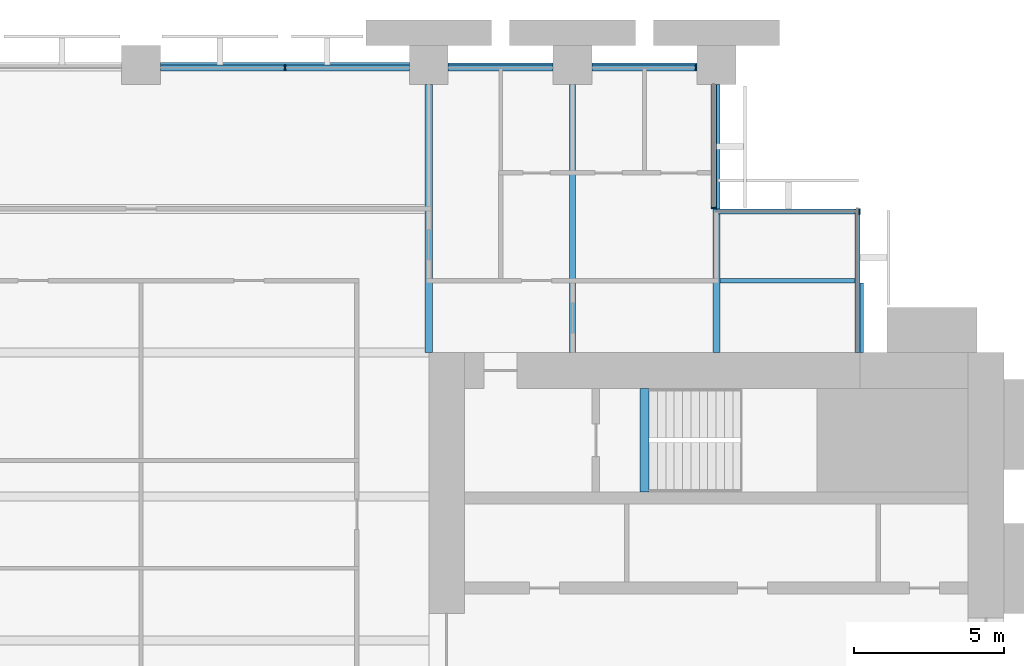
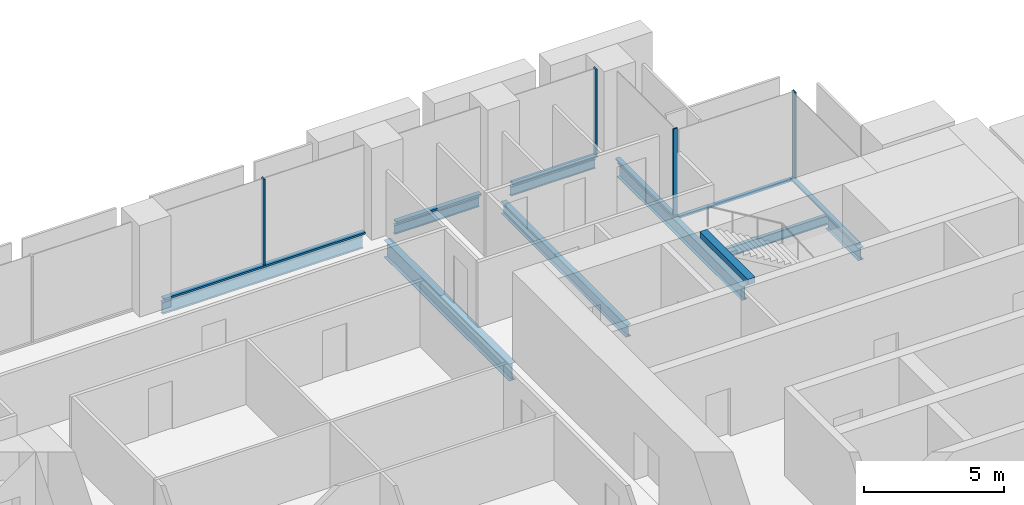
# One storey, part 7 of 14: 10 members, 9 beams, 4 elements without a shape of their own.
"""IFC4 building model written with IfcOpenShell, lengths in metres."""

from ifc_helpers import new_model, si_unit, direction, frame, origin, origin_2d, place, context, subcontext, project, spatial, rectangle, i_section, extrude, material, material_profile, profile_set, type_object, element, aggregate, save


model = new_model("IFC4")

# Units and contexts
model_context = context("Model", 3, precision=1e-05, world=origin(), true_north=direction((0.0, 1.0)))
body_context = subcontext(model_context, "Body", "Model", "MODEL_VIEW")
ifc_project = project(units=[si_unit("LENGTHUNIT", "METRE"), si_unit("AREAUNIT", "SQUARE_METRE"), si_unit("VOLUMEUNIT", "CUBIC_METRE"), si_unit("PLANEANGLEUNIT", "RADIAN"), si_unit("MASSUNIT", "GRAM", prefix="KILO")], contexts=[model_context])

# Site, building, storey
site_placement = place(None, origin())
site = spatial("IfcSite", under=ifc_project, at=site_placement, CompositionType="ELEMENT")
building_placement = place(site_placement, origin())
building = spatial("IfcBuilding", under=site, at=building_placement, Name="Baori Bourse Tower", CompositionType="ELEMENT")
storey_placement = place(building_placement, frame((0.0, 0.0, 79.0)))
storey = spatial("IfcBuildingStorey", under=building, at=storey_placement, Name="L17", CompositionType="ELEMENT", Elevation=79.0)

# Curtain wall, members
ifc_material_1 = material(Name="Pale anodised aluminium", Category="aluminium")
curtain_wall_type_1 = type_object("IfcCurtainWallType", Name="CW1 Curtain wall", PredefinedType="NOTDEFINED", material=ifc_material_1)
curtain_wall_1_placement = place(storey_placement, origin())
curtain_wall_1 = element("IfcCurtainWall", 1, at=curtain_wall_1_placement, inside=storey, type_object=curtain_wall_type_1, Name="Curtain wall CW1 L17 4", PredefinedType="NOTDEFINED")
ifc_material_2 = material(Name="Pale anodised aluminium", Category="aluminium")
ifc_material_profile_1 = material_profile(ifc_material_2, rectangle(XDim=0.199951171875, YDim=0.06005859375, at=origin_2d()), Name="Mullion 60x200")
ifc_profile_set_1 = profile_set([ifc_material_profile_1], Name="Pale anodised aluminium")
member_type_1 = type_object("IfcMemberType", Name="CW1 Curtain wall mullion", PredefinedType="MULLION", material=ifc_profile_set_1)
member_1_placement = place(storey_placement, frame((47.320068359375, 47.89990234375, 0.080078125), z_axis=(0.0, 0.0, 1.0), x_axis=(0.0, -1.0, 0.0)))
member_1 = element("IfcMember", 2, at=member_1_placement, type_object=member_type_1, Name="Curtain wall CW1 mullion", PredefinedType="MULLION", context=body_context, shape_type="SweptSolid", body=[
    extrude(rectangle(XDim=0.199951171875, YDim=0.06005859375, at=origin_2d()), origin(), (0.0, 0.0, 1.0), 3.760009765625),
])
member_2_placement = place(storey_placement, frame((33.60009765625, 47.89990234375, 0.080078125), z_axis=(0.0, 0.0, 1.0), x_axis=(0.0, -1.0, 0.0)))
member_2 = element("IfcMember", 3, at=member_2_placement, type_object=member_type_1, Name="Curtain wall CW1 mullion", PredefinedType="MULLION", context=body_context, shape_type="SweptSolid", body=[
    extrude(rectangle(XDim=0.199951171875, YDim=0.06005859375, at=origin_2d()), origin(), (0.0, 0.0, 1.0), 3.760009765625),
])
ifc_material_3 = material(Name="Pale anodised aluminium", Category="aluminium")
ifc_material_profile_2 = material_profile(ifc_material_3, rectangle(XDim=0.199951171875, YDim=0.080078125, at=origin_2d()), Name="Transom 80x200")
ifc_profile_set_2 = profile_set([ifc_material_profile_2], Name="Pale anodised aluminium")
member_type_2 = type_object("IfcMemberType", Name="CW1 Curtain wall transom", PredefinedType="USERDEFINED", material=ifc_profile_set_2)
member_3_placement = place(storey_placement, frame((47.35009765625, 47.89990234375, 0.0400390625), z_axis=(-1.0, 0.0, 0.0), x_axis=(0.0, -1.0, 0.0)))
member_3 = element("IfcMember", 4, at=member_3_placement, type_object=member_type_2, Name="Curtain wall CW1 sill rail", ObjectType="TRANSOM", PredefinedType="USERDEFINED", context=body_context, shape_type="SweptSolid", body=[
    extrude(rectangle(XDim=0.199951171875, YDim=0.080078125, at=origin_2d()), origin(), (0.0, 0.0, 1.0), 3.5),
])
member_4_placement = place(storey_placement, frame((42.550048828125, 47.89990234375, 0.0400390625), z_axis=(-1.0, 0.0, 0.0), x_axis=(0.0, -1.0, 0.0)))
member_4 = element("IfcMember", 5, at=member_4_placement, type_object=member_type_2, Name="Curtain wall CW1 sill rail", ObjectType="TRANSOM", PredefinedType="USERDEFINED", context=body_context, shape_type="SweptSolid", body=[
    extrude(rectangle(XDim=0.199951171875, YDim=0.080078125, at=origin_2d()), origin(), (0.0, 0.0, 1.0), 3.5),
])
member_5_placement = place(storey_placement, frame((37.75, 47.89990234375, 0.0400390625), z_axis=(-1.0, 0.0, 0.0), x_axis=(0.0, -1.0, 0.0)))
member_5 = element("IfcMember", 6, at=member_5_placement, type_object=member_type_2, Name="Curtain wall CW1 sill rail", ObjectType="TRANSOM", PredefinedType="USERDEFINED", context=body_context, shape_type="SweptSolid", body=[
    extrude(rectangle(XDim=0.199951171875, YDim=0.080078125, at=origin_2d()), origin(), (0.0, 0.0, 1.0), 8.300048828125),
])
aggregate(curtain_wall_1, [member_3, member_1, member_4, member_5, member_2])

# Curtain wall, member
ifc_material_4 = material(Name="Pale anodised aluminium", Category="aluminium")
curtain_wall_type_2 = type_object("IfcCurtainWallType", Name="CW2 Curtain wall", PredefinedType="NOTDEFINED", material=ifc_material_4)
curtain_wall_2_placement = place(storey_placement, origin())
curtain_wall_2 = element("IfcCurtainWall", 7, at=curtain_wall_2_placement, inside=storey, type_object=curtain_wall_type_2, Name="Curtain wall CW2 L17 2", PredefinedType="NOTDEFINED")
ifc_material_5 = material(Name="Pale anodised aluminium", Category="aluminium")
ifc_material_profile_3 = material_profile(ifc_material_5, rectangle(XDim=0.179931640625, YDim=0.054931640625, at=origin_2d()), Name="Mullion 55x180")
ifc_profile_set_3 = profile_set([ifc_material_profile_3], Name="Pale anodised aluminium")
member_type_3 = type_object("IfcMemberType", Name="CW2 Curtain wall mullion", PredefinedType="MULLION", material=ifc_profile_set_3)
member_6_placement = place(storey_placement, frame((52.7724609375, 43.110107421875, 0.070068359375), z_axis=(0.0, 0.0, 1.0), x_axis=(0.0, -1.0, 0.0)))
member_6 = element("IfcMember", 8, at=member_6_placement, type_object=member_type_3, Name="Curtain wall CW2 mullion", PredefinedType="MULLION", context=body_context, shape_type="SweptSolid", body=[
    extrude(rectangle(XDim=0.179931640625, YDim=0.054931640625, at=origin_2d()), origin(), (0.0, 0.0, 1.0), 3.77001953125),
])

curtain_wall_3_placement = place(storey_placement, origin())
curtain_wall_3 = element("IfcCurtainWall", 9, at=curtain_wall_3_placement, inside=storey, type_object=curtain_wall_type_2, Name="Curtain wall CW2 L17 3", PredefinedType="NOTDEFINED")
member_7_placement = place(storey_placement, frame((47.909912109375, 43.2275390625, 0.070068359375), z_axis=(0.0, 0.0, 1.0), x_axis=(-1.0, 0.0, 0.0)))
member_7 = element("IfcMember", 10, at=member_7_placement, type_object=member_type_3, Name="Curtain wall CW2 mullion", PredefinedType="MULLION", context=body_context, shape_type="SweptSolid", body=[
    extrude(rectangle(XDim=0.179931640625, YDim=0.054931640625, at=origin_2d()), origin(), (0.0, 0.0, 1.0), 3.77001953125),
])

curtain_wall_4_placement = place(storey_placement, origin())
curtain_wall_4 = element("IfcCurtainWall", 11, at=curtain_wall_4_placement, inside=storey, type_object=curtain_wall_type_2, Name="Curtain wall CW2 L17 1", PredefinedType="NOTDEFINED")
ifc_material_6 = material(Name="Pale anodised aluminium", Category="aluminium")
ifc_material_profile_4 = material_profile(ifc_material_6, rectangle(XDim=0.179931640625, YDim=0.070068359375, at=origin_2d()), Name="Transom 70x180")
ifc_profile_set_4 = profile_set([ifc_material_profile_4], Name="Pale anodised aluminium")
member_type_4 = type_object("IfcMemberType", Name="CW2 Curtain wall transom", PredefinedType="USERDEFINED", material=ifc_profile_set_4)
member_8_placement = place(storey_placement, frame((52.7099609375, 38.39990234375, 0.034912109375), z_axis=(0.0, 1.0, 0.0), x_axis=(-1.0, 0.0, 0.0)))
member_8 = element("IfcMember", 12, at=member_8_placement, type_object=member_type_4, Name="Curtain wall CW2 sill rail", ObjectType="TRANSOM", PredefinedType="USERDEFINED", context=body_context, shape_type="SweptSolid", body=[
    extrude(rectangle(XDim=0.179931640625, YDim=0.070068359375, at=origin_2d()), origin(), (0.0, 0.0, 1.0), 4.800048828125),
])
aggregate(curtain_wall_4, [member_8])

# Member
member_9_placement = place(storey_placement, frame((52.800048828125, 43.110107421875, 0.034912109375), z_axis=(-1.0, 0.0, 0.0), x_axis=(0.0, -1.0, 0.0)))
member_9 = element("IfcMember", 13, at=member_9_placement, type_object=member_type_4, Name="Curtain wall CW2 sill rail", ObjectType="TRANSOM", PredefinedType="USERDEFINED", context=body_context, shape_type="SweptSolid", body=[
    extrude(rectangle(XDim=0.179931640625, YDim=0.070068359375, at=origin_2d()), origin(), (0.0, 0.0, 1.0), 4.800048828125),
])

aggregate(curtain_wall_2, [member_9, member_6])

member_10_placement = place(storey_placement, frame((47.909912109375, 43.199951171875, 0.034912109375), z_axis=(0.0, 1.0, 0.0), x_axis=(-1.0, 0.0, 0.0)))
member_10 = element("IfcMember", 14, at=member_10_placement, type_object=member_type_4, Name="Curtain wall CW2 sill rail", ObjectType="TRANSOM", PredefinedType="USERDEFINED", context=body_context, shape_type="SweptSolid", body=[
    extrude(rectangle(XDim=0.179931640625, YDim=0.070068359375, at=origin_2d()), origin(), (0.0, 0.0, 1.0), 4.150146484375),
])

aggregate(curtain_wall_3, [member_10, member_7])

# Beams
ifc_material_7 = material(Name="Steel A992 Gr 50", Category="steel")
ifc_material_profile_5 = material_profile(ifc_material_7, i_section(OverallWidth=0.21240234375, OverallDepth=0.54345703125, WebThickness=0.01318359375, FlangeThickness=0.021240234375, at=origin_2d()), Name="W21x83")
ifc_profile_set_5 = profile_set([ifc_material_profile_5], Name="Steel A992 Gr 50")
beam_type_1 = type_object("IfcBeamType", Name="Core bracket W21x83", PredefinedType="BEAM", material=ifc_profile_set_5)
beam_1_placement = place(storey_placement, frame((52.800048828125, 38.39990234375, -0.431884765625), z_axis=(0.0, 1.0, 0.0), x_axis=(-1.0, 0.0, 0.0)))
element("IfcBeam", 15, at=beam_1_placement, inside=storey, type_object=beam_type_1, Name="Core bracket L17", PredefinedType="BEAM", context=body_context, shape_type="SweptSolid", body=[
    extrude(i_section(OverallWidth=0.21240234375, OverallDepth=0.54345703125, WebThickness=0.01318359375, FlangeThickness=0.021240234375, at=origin_2d()), origin(), (0.0, 0.0, 1.0), 2.329833984375),
])
ifc_material_8 = material(Name="Steel A992 Gr 50", Category="steel")
ifc_material_profile_6 = material_profile(ifc_material_8, i_section(OverallWidth=0.140380859375, OverallDepth=0.40380859375, WebThickness=0.007080078125, FlangeThickness=0.01123046875, at=origin_2d()), Name="W16x31")
ifc_profile_set_6 = profile_set([ifc_material_profile_6], Name="Steel A992 Gr 50")
beam_type_2 = type_object("IfcBeamType", Name="Edge beam W16x31", PredefinedType="BEAM", material=ifc_profile_set_6)
for number, where, z_axis, x_axis, name in (
    (16, (39.050048828125, 48.0, -0.36181640625), (1.0, 0.0, 0.0), (0.0, 1.0, 0.0), "Edge beam L17"),
    (17, (43.85009765625, 48.0, -0.36181640625), (1.0, 0.0, 0.0), (0.0, 1.0, 0.0), "Edge beam L17"),
):
    element("IfcBeam", number, at=place(storey_placement, frame(where, z_axis=z_axis, x_axis=x_axis)), inside=storey, type_object=beam_type_2, Name=name, PredefinedType="BEAM", context=body_context, shape_type="SweptSolid", body=[
        extrude(i_section(OverallWidth=0.140380859375, OverallDepth=0.40380859375, WebThickness=0.007080078125, FlangeThickness=0.01123046875, at=origin_2d()), origin(), (0.0, 0.0, 1.0), 3.5),
    ])
ifc_material_9 = material(Name="Steel A992 Gr 50", Category="steel")
ifc_material_profile_7 = material_profile(ifc_material_9, i_section(OverallWidth=0.1650390625, OverallDepth=0.52587890625, WebThickness=0.0087890625, FlangeThickness=0.011474609375, at=origin_2d()), Name="W21x44")
ifc_profile_set_7 = profile_set([ifc_material_profile_7], Name="Steel A992 Gr 50")
beam_type_3 = type_object("IfcBeamType", Name="Edge beam W21x44", PredefinedType="BEAM", material=ifc_profile_set_7)
beam_2_placement = place(storey_placement, frame((29.449951171875, 48.0, -0.4228515625), z_axis=(1.0, 0.0, 0.0), x_axis=(0.0, 1.0, 0.0)))
element("IfcBeam", 18, at=beam_2_placement, inside=storey, type_object=beam_type_3, Name="Edge beam L17", PredefinedType="BEAM", context=body_context, shape_type="SweptSolid", body=[
    extrude(i_section(OverallWidth=0.1650390625, OverallDepth=0.52587890625, WebThickness=0.0087890625, FlangeThickness=0.011474609375, at=origin_2d()), origin(), (0.0, 0.0, 1.0), 8.300048828125),
])
ifc_material_10 = material(Name="Steel A992 Gr 50", Category="steel")
ifc_material_profile_8 = material_profile(ifc_material_10, i_section(OverallWidth=0.209228515625, OverallDepth=0.533447265625, WebThickness=0.01025390625, FlangeThickness=0.015625, at=origin_2d()), Name="W21x62")
ifc_profile_set_8 = profile_set([ifc_material_profile_8], Name="Steel A992 Gr 50")
beam_type_4 = type_object("IfcBeamType", Name="Floor beam W21x62", PredefinedType="BEAM", material=ifc_profile_set_8)
beam_3_placement = place(storey_placement, frame((43.199951171875, 38.39990234375, -0.4267578125), z_axis=(0.0, 1.0, 0.0), x_axis=(-1.0, 0.0, 0.0)))
element("IfcBeam", 19, at=beam_3_placement, inside=storey, type_object=beam_type_4, Name="Floor beam L17", PredefinedType="BEAM", context=body_context, shape_type="SweptSolid", body=[
    extrude(i_section(OverallWidth=0.209228515625, OverallDepth=0.533447265625, WebThickness=0.01025390625, FlangeThickness=0.015625, at=origin_2d()), origin(), (0.0, 0.0, 1.0), 8.9501953125),
])
ifc_material_11 = material(Name="Steel A992 Gr 50", Category="steel")
ifc_material_profile_9 = material_profile(ifc_material_11, i_section(OverallWidth=0.227783203125, OverallDepth=0.60205078125, WebThickness=0.010498046875, FlangeThickness=0.014892578125, at=origin_2d()), Name="W24x68")
ifc_profile_set_9 = profile_set([ifc_material_profile_9], Name="Steel A992 Gr 50")
beam_type_5 = type_object("IfcBeamType", Name="Floor beam W24x68", PredefinedType="BEAM", material=ifc_profile_set_9)
beam_4_placement = place(storey_placement, frame((48.0, 38.39990234375, -0.4609375), z_axis=(0.0, 1.0, 0.0), x_axis=(-1.0, 0.0, 0.0)))
element("IfcBeam", 20, at=beam_4_placement, inside=storey, type_object=beam_type_5, Name="Floor beam L17", PredefinedType="BEAM", context=body_context, shape_type="SweptSolid", body=[
    extrude(i_section(OverallWidth=0.227783203125, OverallDepth=0.60205078125, WebThickness=0.010498046875, FlangeThickness=0.014892578125, at=origin_2d()), origin(), (0.0, 0.0, 1.0), 8.9501953125),
])
ifc_material_12 = material(Name="Steel A992 Gr 50", Category="steel")
ifc_material_profile_10 = material_profile(ifc_material_12, i_section(OverallWidth=0.2666015625, OverallDepth=0.7568359375, WebThickness=0.013916015625, FlangeThickness=0.019287109375, at=origin_2d()), Name="W30x108")
ifc_profile_set_10 = profile_set([ifc_material_profile_10], Name="Steel A992 Gr 50")
beam_type_6 = type_object("IfcBeamType", Name="Girder W30x108", PredefinedType="BEAM", material=ifc_profile_set_10)
beam_5_placement = place(storey_placement, frame((38.39990234375, 38.39990234375, -0.53857421875), z_axis=(0.0, 1.0, 0.0), x_axis=(-1.0, 0.0, 0.0)))
element("IfcBeam", 21, at=beam_5_placement, inside=storey, type_object=beam_type_6, Name="Girder L17", PredefinedType="BEAM", context=body_context, shape_type="SweptSolid", body=[
    extrude(i_section(OverallWidth=0.2666015625, OverallDepth=0.7568359375, WebThickness=0.013916015625, FlangeThickness=0.019287109375, at=origin_2d()), origin(), (0.0, 0.0, 1.0), 8.9501953125),
])
ifc_material_13 = material(Name="Concrete f'c 50 MPa", Category="concrete")
ifc_material_profile_11 = material_profile(ifc_material_13, rectangle(XDim=0.300048828125, YDim=0.25, at=origin_2d()), Name="RC 300x250")
ifc_profile_set_11 = profile_set([ifc_material_profile_11], Name="Concrete f'c 50 MPa")
beam_type_7 = type_object("IfcBeamType", Name="Stair nib beam RC 300x250", PredefinedType="BEAM", material=ifc_profile_set_11)
beam_6_placement = place(storey_placement, frame((45.60009765625, 33.75, 3.715087890625), z_axis=(0.0, 1.0, 0.0), x_axis=(-1.0, 0.0, 0.0)))
element("IfcBeam", 22, at=beam_6_placement, inside=storey, type_object=beam_type_7, Name="Stair EB nib beam L18", PredefinedType="BEAM", context=body_context, shape_type="SweptSolid", body=[
    extrude(rectangle(XDim=0.300048828125, YDim=0.25, at=origin_2d()), origin(), (0.0, 0.0, 1.0), 3.449951171875),
])
ifc_material_14 = material(Name="Steel A992 Gr 50", Category="steel")
ifc_material_profile_12 = material_profile(ifc_material_14, i_section(OverallWidth=0.140380859375, OverallDepth=0.40380859375, WebThickness=0.007080078125, FlangeThickness=0.01123046875, at=origin_2d()), Name="W16x31")
ifc_profile_set_12 = profile_set([ifc_material_profile_12], Name="Steel A992 Gr 50")
beam_type_8 = type_object("IfcBeamType", Name="Trimmer beam W16x31", PredefinedType="BEAM", material=ifc_profile_set_12)
beam_7_placement = place(storey_placement, frame((48.114013671875, 40.800048828125, -0.36181640625), z_axis=(1.0, 0.0, 0.0), x_axis=(0.0, 1.0, 0.0)))
element("IfcBeam", 23, at=beam_7_placement, inside=storey, type_object=beam_type_8, Name="Trimmer beam L17", PredefinedType="BEAM", context=body_context, shape_type="SweptSolid", body=[
    extrude(i_section(OverallWidth=0.140380859375, OverallDepth=0.40380859375, WebThickness=0.007080078125, FlangeThickness=0.01123046875, at=origin_2d()), origin(), (0.0, 0.0, 1.0), 4.68603515625),
])

save(model, "model.ifc")
